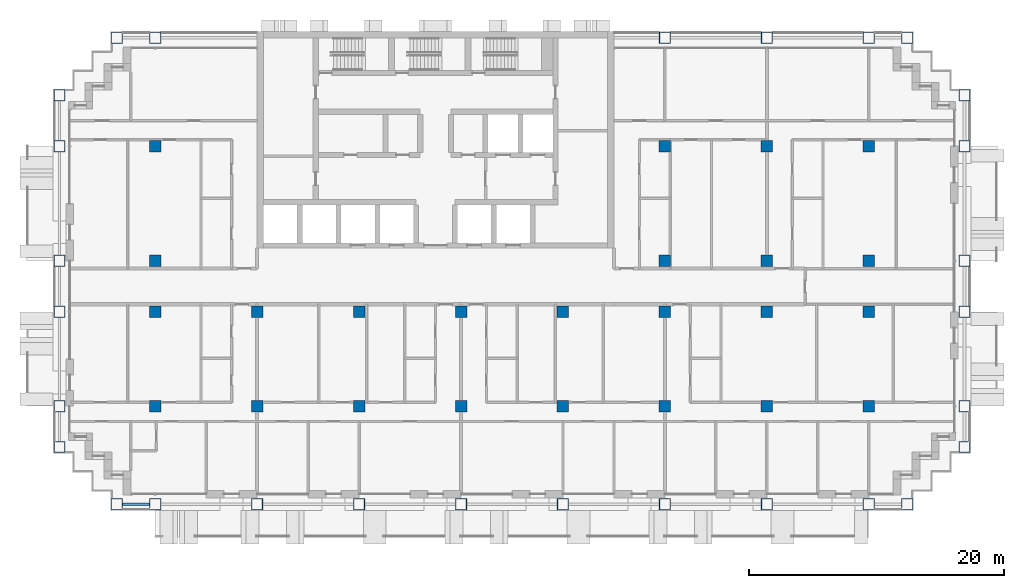
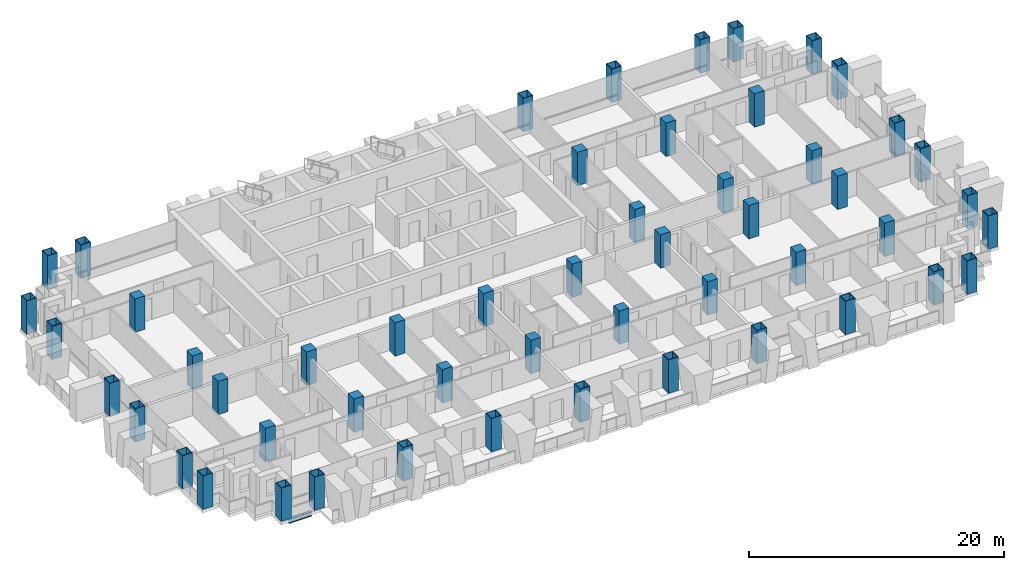
# One storey, part 1 of 18: 52 columns, 1 beam.
"""IFC4 building model written with IfcOpenShell, lengths in metres."""

import ifcopenshell
import ifcopenshell.guid

model = None  # the IFC model being written
_history = None  # IfcOwnerHistory: only IFC2X3 demands one
_inside = {}  # id of a spatial element -> (the spatial element, [elements in it])
_under = {}  # id of a project, library or spatial element -> (it, [spatial elements below it])
_declared = {}  # id of a project -> (the project, [libraries it declares])
_typed = {}  # id of a type object -> (the type object, [elements of that type])
_made_of = {}  # id of a material, layer set ... -> (it, [elements and type objects made of it])


def new_model(schema):
    """Start an empty IFC model of exactly this schema.

    Asked for "IFC4X3", IfcOpenShell would pick the latest addendum, in which some entities
    have other attributes; the version numbers below select the first issue.
    IFC2X3 requires an IfcOwnerHistory on every rooted entity: one is made here for all.
    """
    global model, _history
    if schema == "IFC4X3":
        model = ifcopenshell.file(schema_version=(4, 3, 0, 0))
    else:
        model = ifcopenshell.file(schema=schema)
    _inside.clear()
    _under.clear()
    _declared.clear()
    _typed.clear()
    _made_of.clear()
    _history = None
    if model.schema == "IFC2X3":
        org = make("IfcOrganization", Name="unknown")
        user = make(
            "IfcPersonAndOrganization",
            ThePerson=make("IfcPerson", FamilyName="unknown"),
            TheOrganization=org,
        )
        app = make(
            "IfcApplication",
            ApplicationDeveloper=org,
            Version="unknown",
            ApplicationFullName="unknown",
            ApplicationIdentifier="unknown",
        )
        _history = make(
            "IfcOwnerHistory",
            OwningUser=user,
            OwningApplication=app,
            ChangeAction="ADDED",
            CreationDate=0,
        )
    return model


def make(cls, **values):
    """One entity of the class cls with the attributes given. An attribute that is None is left unset."""
    return model.create_entity(
        cls, **{name: value for name, value in values.items() if value is not None}
    )


def rooted(cls, **values):
    """An entity with a GlobalId (a new one), such as an element, a storey or a relation."""
    return make(cls, GlobalId=ifcopenshell.guid.new(), OwnerHistory=_history, **values)


def si_unit(unit_type, name, prefix=None):
    """IfcSIUnit, for example si_unit("LENGTHUNIT", "METRE", prefix="MILLI")."""
    return make("IfcSIUnit", UnitType=unit_type, Prefix=prefix, Name=name)


def assignment(units):
    """IfcUnitAssignment: the units of a project."""
    return None if units is None else make("IfcUnitAssignment", Units=units)


def point(xyz):
    """IfcCartesianPoint."""
    return None if xyz is None else make("IfcCartesianPoint", Coordinates=xyz)


def direction(xyz):
    """IfcDirection."""
    return None if xyz is None else make("IfcDirection", DirectionRatios=xyz)


def frame(location, z_axis=None, x_axis=None):
    """IfcAxis2Placement3D, a coordinate frame: its origin and axes. An axis left out is left unset."""
    return make(
        "IfcAxis2Placement3D",
        Location=point(location),
        Axis=direction(z_axis),
        RefDirection=direction(x_axis),
    )


def frame_2d(location, x_axis=None):
    """IfcAxis2Placement2D, a coordinate frame in the plane: its origin and x axis."""
    return make(
        "IfcAxis2Placement2D", Location=point(location), RefDirection=direction(x_axis)
    )


def origin():
    """The frame at (0, 0, 0) with its axes left unset."""
    return frame((0.0, 0.0, 0.0))


def origin_2d():
    """The frame at (0, 0) in the plane with its x axis left unset."""
    return frame_2d((0.0, 0.0))


def place(relative_to, where):
    """IfcLocalPlacement: puts the frame where relative to a parent placement (None: the world)."""
    return make(
        "IfcLocalPlacement", PlacementRelTo=relative_to, RelativePlacement=where
    )


def context(
    kind, dimensions, precision=None, world=None, true_north=None, identifier=None
):
    """IfcGeometricRepresentationContext, for example the 3D "Model" context."""
    return make(
        "IfcGeometricRepresentationContext",
        ContextIdentifier=identifier,
        ContextType=kind,
        CoordinateSpaceDimension=dimensions,
        Precision=precision,
        WorldCoordinateSystem=world,
        TrueNorth=true_north,
    )


def subcontext(parent, identifier, kind, view, scale=None):
    """IfcGeometricRepresentationSubContext, for example "Body" below "Model"."""
    return make(
        "IfcGeometricRepresentationSubContext",
        ContextIdentifier=identifier,
        ContextType=kind,
        ParentContext=parent,
        TargetScale=scale,
        TargetView=view,
    )


def project(units=None, contexts=None):
    """IfcProject with its units and contexts."""
    return rooted(
        "IfcProject",
        Name="project",
        RepresentationContexts=contexts,
        UnitsInContext=assignment(units),
    )


def spatial(cls, under=None, at=None, **own):
    """A site, building, storey or space (cls), placed at a placement, below another one or the project."""
    s = rooted(cls, ObjectPlacement=at, **own)
    if under is not None:
        _under.setdefault(under.id(), (under, []))[1].append(s)
    return s


def profile(cls, at=None, kind="AREA", **sizes):
    """A parametric profile (cls). Its sizes go by their IFC names, for example OverallWidth=200.0."""
    return make(cls, ProfileType=kind, Position=at, **sizes)


def rectangle(**sizes):
    """IfcRectangleProfileDef."""
    return profile("IfcRectangleProfileDef", **sizes)


def hollow_rectangle(**sizes):
    """IfcRectangleHollowProfileDef."""
    return profile("IfcRectangleHollowProfileDef", **sizes)


def i_section(**sizes):
    """IfcIShapeProfileDef."""
    return profile("IfcIShapeProfileDef", **sizes)


def extrude(swept, where, along, depth):
    """IfcExtrudedAreaSolid: the profile swept, set in the frame where, extruded along a direction by depth."""
    return make(
        "IfcExtrudedAreaSolid",
        SweptArea=swept,
        Position=where,
        ExtrudedDirection=direction(along),
        Depth=depth,
    )


def shape(context_of_items, identifier, shape_type, items):
    """IfcShapeRepresentation: the items that make up one representation, for example the "Body"."""
    return make(
        "IfcShapeRepresentation",
        ContextOfItems=context_of_items,
        RepresentationIdentifier=identifier,
        RepresentationType=shape_type,
        Items=items,
    )


def material(Name=None, Category=None):
    """IfcMaterial."""
    return make("IfcMaterial", Name=Name, Category=Category)


def material_profile(
    of_material, cross_section, Name=None, Category=None, Priority=None
):
    """IfcMaterialProfile: a cross section and its material."""
    return make(
        "IfcMaterialProfile",
        Name=Name,
        Material=of_material,
        Profile=cross_section,
        Priority=Priority,
        Category=Category,
    )


def profile_set(profiles, Name=None, composite=None):
    """IfcMaterialProfileSet."""
    return make(
        "IfcMaterialProfileSet",
        Name=Name,
        MaterialProfiles=profiles,
        CompositeProfile=composite,
    )


def made_of(thing, what):
    """Note that an element or type object is made of a material, layer set ...; save() writes the relation."""
    if what is not None:
        _made_of.setdefault(what.id(), (what, []))[1].append(thing)
    return thing


def type_object(cls, material=None, **own):
    """A type object (cls), such as IfcWallType, which elements share."""
    return made_of(rooted(cls, **own), material)


def element(
    cls,
    number,
    at=None,
    inside=None,
    cuts=None,
    type_object=None,
    material=None,
    context=None,
    identifier="Body",
    shape_type=None,
    held_by="IfcProductDefinitionShape",
    body=None,
    shapes=None,
    **own,
):
    """One element of the class cls, such as IfcWall. Its Tag is "e" and its number.

    at: its placement. inside: the storey or other place that contains it. cuts: it is an
    opening in that element (IfcRelVoidsElement). A single representation is given by context,
    identifier, shape_type and body (its items); several are given by shapes. held_by: the class
    of the entity that holds the representations. save() writes the other relations.
    """
    e = rooted(cls, Tag="e%d" % number, ObjectPlacement=at, **own)
    if body is not None:
        shapes = [shape(context, identifier, shape_type, body)]
    if shapes is not None:
        e.Representation = make(held_by, Representations=shapes)
    if inside is not None:
        _inside.setdefault(inside.id(), (inside, []))[1].append(e)
    if cuts is not None:
        rooted(
            "IfcRelVoidsElement", RelatingBuildingElement=cuts, RelatedOpeningElement=e
        )
    if type_object is not None:
        _typed.setdefault(type_object.id(), (type_object, []))[1].append(e)
    return made_of(e, material)


def aggregate(whole, parts):
    """IfcRelAggregates: a whole, such as a stair, and the parts it consists of."""
    return rooted("IfcRelAggregates", RelatingObject=whole, RelatedObjects=parts)


def save(model, path):
    """Write the relations noted so far, then the file.

    IfcRelAggregates (storeys below a building ...), IfcRelContainedInSpatialStructure (elements
    in a storey), IfcRelDefinesByType, IfcRelAssociatesMaterial and IfcRelDeclares: one each for
    every whole, place, type object, material and project.
    """
    for whole, parts in _under.values():
        aggregate(whole, parts)
    for where, things in _inside.values():
        rooted(
            "IfcRelContainedInSpatialStructure",
            RelatedElements=things,
            RelatingStructure=where,
        )
    for kind, things in _typed.values():
        rooted("IfcRelDefinesByType", RelatedObjects=things, RelatingType=kind)
    for what, things in _made_of.values():
        rooted("IfcRelAssociatesMaterial", RelatedObjects=things, RelatingMaterial=what)
    for by, libraries in _declared.values():
        rooted("IfcRelDeclares", RelatingContext=by, RelatedDefinitions=libraries)
    model.write(path)


model = new_model("IFC4")

# Units and contexts
model_context = context("Model", 3, precision=1e-05, world=origin(), true_north=direction((0.0, 1.0)))
body_context = subcontext(model_context, "Body", "Model", "MODEL_VIEW")
ifc_project = project(units=[si_unit("LENGTHUNIT", "METRE"), si_unit("AREAUNIT", "SQUARE_METRE"), si_unit("VOLUMEUNIT", "CUBIC_METRE"), si_unit("PLANEANGLEUNIT", "RADIAN"), si_unit("MASSUNIT", "GRAM", prefix="KILO")], contexts=[model_context])

# Site, building, storey
site_placement = place(None, origin())
site = spatial("IfcSite", under=ifc_project, at=site_placement, CompositionType="ELEMENT")
building_placement = place(site_placement, origin())
building = spatial("IfcBuilding", under=site, at=building_placement, Name="Vidyagriha Tower", CompositionType="ELEMENT")
storey_placement = place(building_placement, frame((0.0, 0.0, 93.5)))
storey = spatial("IfcBuildingStorey", under=building, at=storey_placement, Name="L24", CompositionType="ELEMENT", Elevation=93.5)

# Columns
ifc_material_1 = material(Name="Steel ASTM A572 Grade 50", Category="steel")
ifc_material_profile_1 = material_profile(ifc_material_1, hollow_rectangle(XDim=0.89990234375, YDim=0.89990234375, WallThickness=0.044921875, at=origin_2d()), Name="BOX 900x900x45")
ifc_profile_set_1 = profile_set([ifc_material_profile_1], Name="Steel ASTM A572 Grade 50")
column_type_1 = type_object("IfcColumnType", Name="Exoskeleton column BOX 900x900x45", PredefinedType="COLUMN", material=ifc_profile_set_1)
for number, where, name in (
    (1, (-25.0, -17.10009765625, 0.0), "st-col-L24-B2-001"),
    (2, (-22.0, -17.10009765625, 0.0), "st-col-L24-B2-002"),
    (3, (-14.0, -17.10009765625, 0.0), "st-col-L24-B2-003"),
    (4, (-6.0, -17.10009765625, 0.0), "st-col-L24-B2-004"),
    (5, (2.0, -17.10009765625, 0.0), "st-col-L24-B2-005"),
    (6, (10.0, -17.10009765625, 0.0), "st-col-L24-B2-006"),
    (7, (18.0, -17.10009765625, 0.0), "st-col-L24-B2-007"),
    (8, (26.0, -17.10009765625, 0.0), "st-col-L24-B2-008"),
    (9, (34.0, -17.10009765625, 0.0), "st-col-L24-B2-009"),
    (10, (37.0, -17.10009765625, 0.0), "st-col-L24-B2-010"),
    (11, (-29.5, -12.60009765625, 0.0), "st-col-L24-B2-011"),
    (12, (41.5, -12.60009765625, 0.0), "st-col-L24-B2-012"),
    (13, (-29.5, -9.39990234375, 0.0), "st-col-L24-B2-013"),
    (14, (41.5, -9.39990234375, 0.0), "st-col-L24-B2-022"),
    (15, (-29.5, -2.0, 0.0), "st-col-L24-B2-023"),
    (16, (41.5, -2.0, 0.0), "st-col-L24-B2-032"),
    (17, (-29.5, 2.0, 0.0), "st-col-L24-B2-033"),
    (18, (41.5, 2.0, 0.0), "st-col-L24-B2-038"),
    (19, (-29.5, 11.0, 0.0), "st-col-L24-B2-039"),
    (20, (41.5, 11.0, 0.0), "st-col-L24-B2-044"),
    (21, (-29.5, 15.0, 0.0), "st-col-L24-B2-045"),
    (22, (41.5, 15.0, 0.0), "st-col-L24-B2-046"),
    (23, (-25.0, 19.5, 0.0), "st-col-L24-B2-047"),
    (24, (-22.0, 19.5, 0.0), "st-col-L24-B2-048"),
    (25, (18.0, 19.5, 0.0), "st-col-L24-B2-049"),
    (26, (26.0, 19.5, 0.0), "st-col-L24-B2-050"),
    (27, (34.0, 19.5, 0.0), "st-col-L24-B2-051"),
    (28, (37.0, 19.5, 0.0), "st-col-L24-B2-052"),
):
    element("IfcColumn", number, at=place(storey_placement, frame(where)), inside=storey, type_object=column_type_1, Name=name, PredefinedType="COLUMN", context=body_context, shape_type="SweptSolid", body=[
        extrude(hollow_rectangle(XDim=0.89990234375, YDim=0.89990234375, WallThickness=0.044921875, at=origin_2d()), origin(), (0.0, 0.0, 1.0), 3.199951171875),
    ])
ifc_material_2 = material(Name="Concrete C80/95", Category="concrete")
ifc_material_profile_2 = material_profile(ifc_material_2, rectangle(XDim=0.89990234375, YDim=0.89990234375, at=origin_2d()), Name="RC 900x900")
ifc_profile_set_2 = profile_set([ifc_material_profile_2], Name="Concrete C80/95")
column_type_2 = type_object("IfcColumnType", Name="Frame column RC 900x900", PredefinedType="COLUMN", material=ifc_profile_set_2)
for number, where, name in (
    (29, (-22.0, -9.39990234375, 0.0), "st-col-L24-B2-014"),
    (30, (-14.0, -9.39990234375, 0.0), "st-col-L24-B2-015"),
    (31, (-6.0, -9.39990234375, 0.0), "st-col-L24-B2-016"),
    (32, (2.0, -9.39990234375, 0.0), "st-col-L24-B2-017"),
    (33, (10.0, -9.39990234375, 0.0), "st-col-L24-B2-018"),
    (34, (18.0, -9.39990234375, 0.0), "st-col-L24-B2-019"),
    (35, (26.0, -9.39990234375, 0.0), "st-col-L24-B2-020"),
    (36, (34.0, -9.39990234375, 0.0), "st-col-L24-B2-021"),
    (37, (-22.0, -2.0, 0.0), "st-col-L24-B2-024"),
    (38, (-14.0, -2.0, 0.0), "st-col-L24-B2-025"),
    (39, (-6.0, -2.0, 0.0), "st-col-L24-B2-026"),
    (40, (2.0, -2.0, 0.0), "st-col-L24-B2-027"),
    (41, (10.0, -2.0, 0.0), "st-col-L24-B2-028"),
    (42, (18.0, -2.0, 0.0), "st-col-L24-B2-029"),
    (43, (26.0, -2.0, 0.0), "st-col-L24-B2-030"),
    (44, (34.0, -2.0, 0.0), "st-col-L24-B2-031"),
    (45, (-22.0, 2.0, 0.0), "st-col-L24-B2-034"),
    (46, (18.0, 2.0, 0.0), "st-col-L24-B2-035"),
    (47, (26.0, 2.0, 0.0), "st-col-L24-B2-036"),
    (48, (34.0, 2.0, 0.0), "st-col-L24-B2-037"),
    (49, (-22.0, 11.0, 0.0), "st-col-L24-B2-040"),
    (50, (18.0, 11.0, 0.0), "st-col-L24-B2-041"),
    (51, (26.0, 11.0, 0.0), "st-col-L24-B2-042"),
    (52, (34.0, 11.0, 0.0), "st-col-L24-B2-043"),
):
    element("IfcColumn", number, at=place(storey_placement, frame(where)), inside=storey, type_object=column_type_2, Name=name, PredefinedType="COLUMN", context=body_context, shape_type="SweptSolid", body=[
        extrude(rectangle(XDim=0.89990234375, YDim=0.89990234375, at=origin_2d()), origin(), (0.0, 0.0, 1.0), 3.199951171875),
    ])

# Beam
ifc_material_3 = material(Name="Steel ASTM A992 Grade 50", Category="steel")
ifc_material_profile_3 = material_profile(ifc_material_3, i_section(OverallWidth=0.19189453125, OverallDepth=0.46240234375, WebThickness=0.010498046875, FlangeThickness=0.017578125, at=origin_2d()), Name="W18X60")
ifc_profile_set_3 = profile_set([ifc_material_profile_3], Name="Steel ASTM A992 Grade 50")
beam_type = type_object("IfcBeamType", Name="Edge beam W18X60", PredefinedType="SPANDREL", material=ifc_profile_set_3)
beam_placement = place(storey_placement, frame((-24.550048828125, -17.10009765625, -0.51123046875), z_axis=(1.0, 0.0, 0.0), x_axis=(0.0, 1.0, 0.0)))
element("IfcBeam", 53, at=beam_placement, inside=storey, type_object=beam_type, Name="st-beam-L24-S01", PredefinedType="SPANDREL", context=body_context, shape_type="SweptSolid", body=[
    extrude(i_section(OverallWidth=0.19189453125, OverallDepth=0.46240234375, WebThickness=0.010498046875, FlangeThickness=0.017578125, at=origin_2d()), origin(), (0.0, 0.0, 1.0), 2.10009765625),
])

save(model, "model.ifc")
